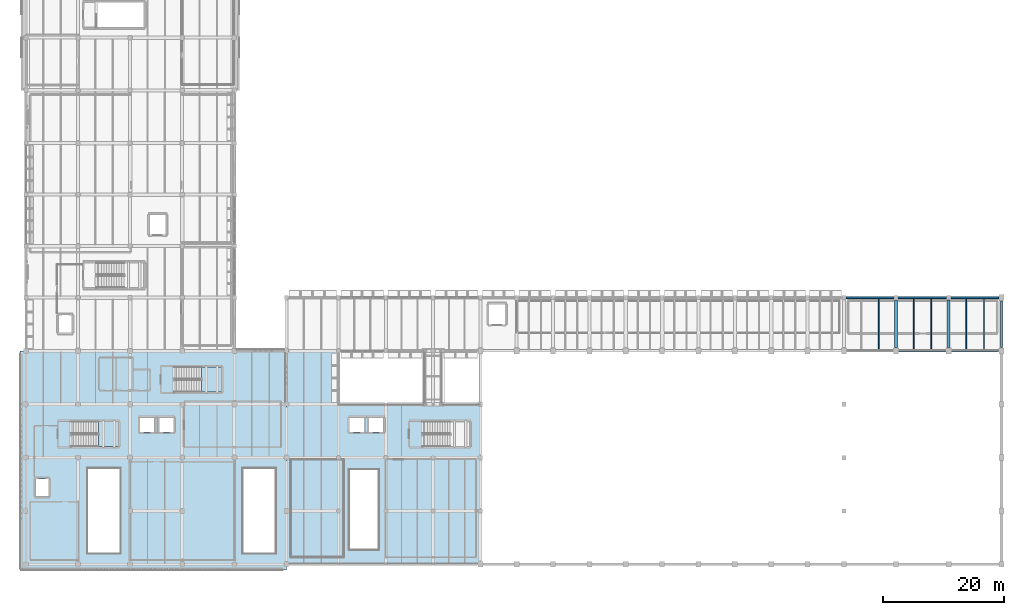
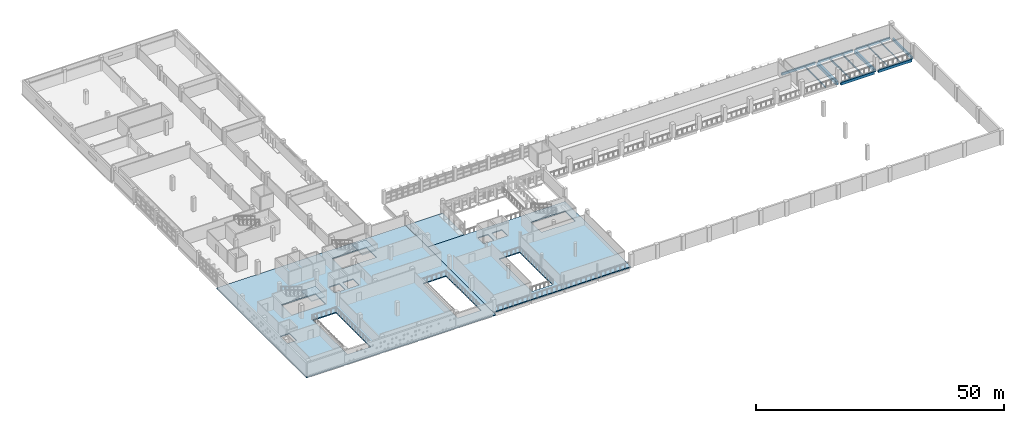
# One storey, part 45 of 75: 13 beams, 5 slabs, 2 elements without a shape of their own.
"""IFC4 building model written with IfcOpenShell, lengths in metres."""

import ifcopenshell
import ifcopenshell.guid

model = None  # the IFC model being written
_history = None  # IfcOwnerHistory: only IFC2X3 demands one
_inside = {}  # id of a spatial element -> (the spatial element, [elements in it])
_under = {}  # id of a project, library or spatial element -> (it, [spatial elements below it])
_declared = {}  # id of a project -> (the project, [libraries it declares])
_typed = {}  # id of a type object -> (the type object, [elements of that type])
_made_of = {}  # id of a material, layer set ... -> (it, [elements and type objects made of it])


def new_model(schema):
    """Start an empty IFC model of exactly this schema.

    Asked for "IFC4X3", IfcOpenShell would pick the latest addendum, in which some entities
    have other attributes; the version numbers below select the first issue.
    IFC2X3 requires an IfcOwnerHistory on every rooted entity: one is made here for all.
    """
    global model, _history
    if schema == "IFC4X3":
        model = ifcopenshell.file(schema_version=(4, 3, 0, 0))
    else:
        model = ifcopenshell.file(schema=schema)
    _inside.clear()
    _under.clear()
    _declared.clear()
    _typed.clear()
    _made_of.clear()
    _history = None
    if model.schema == "IFC2X3":
        org = make("IfcOrganization", Name="unknown")
        user = make(
            "IfcPersonAndOrganization",
            ThePerson=make("IfcPerson", FamilyName="unknown"),
            TheOrganization=org,
        )
        app = make(
            "IfcApplication",
            ApplicationDeveloper=org,
            Version="unknown",
            ApplicationFullName="unknown",
            ApplicationIdentifier="unknown",
        )
        _history = make(
            "IfcOwnerHistory",
            OwningUser=user,
            OwningApplication=app,
            ChangeAction="ADDED",
            CreationDate=0,
        )
    return model


def make(cls, **values):
    """One entity of the class cls with the attributes given. An attribute that is None is left unset."""
    return model.create_entity(
        cls, **{name: value for name, value in values.items() if value is not None}
    )


def rooted(cls, **values):
    """An entity with a GlobalId (a new one), such as an element, a storey or a relation."""
    return make(cls, GlobalId=ifcopenshell.guid.new(), OwnerHistory=_history, **values)


def si_unit(unit_type, name, prefix=None):
    """IfcSIUnit, for example si_unit("LENGTHUNIT", "METRE", prefix="MILLI")."""
    return make("IfcSIUnit", UnitType=unit_type, Prefix=prefix, Name=name)


def assignment(units):
    """IfcUnitAssignment: the units of a project."""
    return None if units is None else make("IfcUnitAssignment", Units=units)


def point(xyz):
    """IfcCartesianPoint."""
    return None if xyz is None else make("IfcCartesianPoint", Coordinates=xyz)


def direction(xyz):
    """IfcDirection."""
    return None if xyz is None else make("IfcDirection", DirectionRatios=xyz)


def frame(location, z_axis=None, x_axis=None):
    """IfcAxis2Placement3D, a coordinate frame: its origin and axes. An axis left out is left unset."""
    return make(
        "IfcAxis2Placement3D",
        Location=point(location),
        Axis=direction(z_axis),
        RefDirection=direction(x_axis),
    )


def frame_2d(location, x_axis=None):
    """IfcAxis2Placement2D, a coordinate frame in the plane: its origin and x axis."""
    return make(
        "IfcAxis2Placement2D", Location=point(location), RefDirection=direction(x_axis)
    )


def origin():
    """The frame at (0, 0, 0) with its axes left unset."""
    return frame((0.0, 0.0, 0.0))


def origin_2d():
    """The frame at (0, 0) in the plane with its x axis left unset."""
    return frame_2d((0.0, 0.0))


def place(relative_to, where):
    """IfcLocalPlacement: puts the frame where relative to a parent placement (None: the world)."""
    return make(
        "IfcLocalPlacement", PlacementRelTo=relative_to, RelativePlacement=where
    )


def context(
    kind, dimensions, precision=None, world=None, true_north=None, identifier=None
):
    """IfcGeometricRepresentationContext, for example the 3D "Model" context."""
    return make(
        "IfcGeometricRepresentationContext",
        ContextIdentifier=identifier,
        ContextType=kind,
        CoordinateSpaceDimension=dimensions,
        Precision=precision,
        WorldCoordinateSystem=world,
        TrueNorth=true_north,
    )


def subcontext(parent, identifier, kind, view, scale=None):
    """IfcGeometricRepresentationSubContext, for example "Body" below "Model"."""
    return make(
        "IfcGeometricRepresentationSubContext",
        ContextIdentifier=identifier,
        ContextType=kind,
        ParentContext=parent,
        TargetScale=scale,
        TargetView=view,
    )


def project(units=None, contexts=None):
    """IfcProject with its units and contexts."""
    return rooted(
        "IfcProject",
        Name="project",
        RepresentationContexts=contexts,
        UnitsInContext=assignment(units),
    )


def spatial(cls, under=None, at=None, **own):
    """A site, building, storey or space (cls), placed at a placement, below another one or the project."""
    s = rooted(cls, ObjectPlacement=at, **own)
    if under is not None:
        _under.setdefault(under.id(), (under, []))[1].append(s)
    return s


def polyline(points):
    """IfcPolyline through the points."""
    return make("IfcPolyline", Points=[point(p) for p in points])


def profile(cls, at=None, kind="AREA", **sizes):
    """A parametric profile (cls). Its sizes go by their IFC names, for example OverallWidth=200.0."""
    return make(cls, ProfileType=kind, Position=at, **sizes)


def rectangle(**sizes):
    """IfcRectangleProfileDef."""
    return profile("IfcRectangleProfileDef", **sizes)


def i_section(**sizes):
    """IfcIShapeProfileDef."""
    return profile("IfcIShapeProfileDef", **sizes)


def outline(outer, holes=None, kind="AREA"):
    """IfcArbitraryClosedProfileDef: a profile drawn as a closed curve; with holes, ...WithVoids."""
    if holes is None:
        return make("IfcArbitraryClosedProfileDef", ProfileType=kind, OuterCurve=outer)
    return make(
        "IfcArbitraryProfileDefWithVoids",
        ProfileType=kind,
        OuterCurve=outer,
        InnerCurves=holes,
    )


def extrude(swept, where, along, depth):
    """IfcExtrudedAreaSolid: the profile swept, set in the frame where, extruded along a direction by depth."""
    return make(
        "IfcExtrudedAreaSolid",
        SweptArea=swept,
        Position=where,
        ExtrudedDirection=direction(along),
        Depth=depth,
    )


def shape(context_of_items, identifier, shape_type, items):
    """IfcShapeRepresentation: the items that make up one representation, for example the "Body"."""
    return make(
        "IfcShapeRepresentation",
        ContextOfItems=context_of_items,
        RepresentationIdentifier=identifier,
        RepresentationType=shape_type,
        Items=items,
    )


def material(Name=None, Category=None):
    """IfcMaterial."""
    return make("IfcMaterial", Name=Name, Category=Category)


def layer(
    of_material, thickness, ventilated=None, Name=None, Category=None, Priority=None
):
    """IfcMaterialLayer: one layer of a wall or slab, of a material (None: an air gap)."""
    return make(
        "IfcMaterialLayer",
        Material=of_material,
        LayerThickness=thickness,
        IsVentilated=ventilated,
        Name=Name,
        Category=Category,
        Priority=Priority,
    )


def layer_set(layers, Name=None):
    """IfcMaterialLayerSet."""
    return make("IfcMaterialLayerSet", MaterialLayers=layers, LayerSetName=Name)


def material_profile(
    of_material, cross_section, Name=None, Category=None, Priority=None
):
    """IfcMaterialProfile: a cross section and its material."""
    return make(
        "IfcMaterialProfile",
        Name=Name,
        Material=of_material,
        Profile=cross_section,
        Priority=Priority,
        Category=Category,
    )


def profile_set(profiles, Name=None, composite=None):
    """IfcMaterialProfileSet."""
    return make(
        "IfcMaterialProfileSet",
        Name=Name,
        MaterialProfiles=profiles,
        CompositeProfile=composite,
    )


def made_of(thing, what):
    """Note that an element or type object is made of a material, layer set ...; save() writes the relation."""
    if what is not None:
        _made_of.setdefault(what.id(), (what, []))[1].append(thing)
    return thing


def type_object(cls, material=None, **own):
    """A type object (cls), such as IfcWallType, which elements share."""
    return made_of(rooted(cls, **own), material)


def element(
    cls,
    number,
    at=None,
    inside=None,
    cuts=None,
    type_object=None,
    material=None,
    context=None,
    identifier="Body",
    shape_type=None,
    held_by="IfcProductDefinitionShape",
    body=None,
    shapes=None,
    **own,
):
    """One element of the class cls, such as IfcWall. Its Tag is "e" and its number.

    at: its placement. inside: the storey or other place that contains it. cuts: it is an
    opening in that element (IfcRelVoidsElement). A single representation is given by context,
    identifier, shape_type and body (its items); several are given by shapes. held_by: the class
    of the entity that holds the representations. save() writes the other relations.
    """
    e = rooted(cls, Tag="e%d" % number, ObjectPlacement=at, **own)
    if body is not None:
        shapes = [shape(context, identifier, shape_type, body)]
    if shapes is not None:
        e.Representation = make(held_by, Representations=shapes)
    if inside is not None:
        _inside.setdefault(inside.id(), (inside, []))[1].append(e)
    if cuts is not None:
        rooted(
            "IfcRelVoidsElement", RelatingBuildingElement=cuts, RelatedOpeningElement=e
        )
    if type_object is not None:
        _typed.setdefault(type_object.id(), (type_object, []))[1].append(e)
    return made_of(e, material)


def aggregate(whole, parts):
    """IfcRelAggregates: a whole, such as a stair, and the parts it consists of."""
    return rooted("IfcRelAggregates", RelatingObject=whole, RelatedObjects=parts)


def save(model, path):
    """Write the relations noted so far, then the file.

    IfcRelAggregates (storeys below a building ...), IfcRelContainedInSpatialStructure (elements
    in a storey), IfcRelDefinesByType, IfcRelAssociatesMaterial and IfcRelDeclares: one each for
    every whole, place, type object, material and project.
    """
    for whole, parts in _under.values():
        aggregate(whole, parts)
    for where, things in _inside.values():
        rooted(
            "IfcRelContainedInSpatialStructure",
            RelatedElements=things,
            RelatingStructure=where,
        )
    for kind, things in _typed.values():
        rooted("IfcRelDefinesByType", RelatedObjects=things, RelatingType=kind)
    for what, things in _made_of.values():
        rooted("IfcRelAssociatesMaterial", RelatedObjects=things, RelatingMaterial=what)
    for by, libraries in _declared.values():
        rooted("IfcRelDeclares", RelatingContext=by, RelatedDefinitions=libraries)
    model.write(path)


model = new_model("IFC4")

# Units and contexts
model_context = context("Model", 3, precision=1e-05, world=origin(), true_north=direction((0.0, 1.0)))
body_context = subcontext(model_context, "Body", "Model", "MODEL_VIEW")
ifc_project = project(units=[si_unit("LENGTHUNIT", "METRE"), si_unit("AREAUNIT", "SQUARE_METRE"), si_unit("VOLUMEUNIT", "CUBIC_METRE"), si_unit("PLANEANGLEUNIT", "RADIAN"), si_unit("MASSUNIT", "GRAM", prefix="KILO")], contexts=[model_context])

# Site, building, storey
site_placement = place(None, origin())
site = spatial("IfcSite", under=ifc_project, at=site_placement, CompositionType="ELEMENT")
building_placement = place(site_placement, origin())
building = spatial("IfcBuilding", under=site, at=building_placement, Name="Varnakota Cinema and Media Centre", CompositionType="ELEMENT")
storey_placement = place(building_placement, frame((0.0, 0.0, 8.39990234375)))
storey = spatial("IfcBuildingStorey", under=building, at=storey_placement, Name="L02", CompositionType="ELEMENT", Elevation=8.39990234375)

# Beams
ifc_material_1 = material(Name="Concrete M35", Category="concrete")
ifc_material_profile_1 = material_profile(ifc_material_1, rectangle(XDim=0.5, YDim=0.75, at=origin_2d()), Name="RCB 500x750")
ifc_profile_set_1 = profile_set([ifc_material_profile_1], Name="Concrete M35")
beam_type_1 = type_object("IfcBeamType", Name="BM-RC-500x750", PredefinedType="BEAM", material=ifc_profile_set_1)
beam_1_placement = place(storey_placement, frame((152.300048828125, 35.75, -0.625), z_axis=(0.0, 1.0, 0.0), x_axis=(-1.0, 0.0, 0.0)))
element("IfcBeam", 1, at=beam_1_placement, inside=storey, type_object=beam_type_1, Name="L02 girder X/5-6", PredefinedType="BEAM", context=body_context, shape_type="SweptSolid", body=[
    extrude(rectangle(XDim=0.5, YDim=0.75, at=origin_2d()), origin(), (0.0, 0.0, 1.0), 7.875),
])
ifc_material_2 = material(Name="Concrete M35", Category="concrete")
ifc_material_profile_2 = material_profile(ifc_material_2, rectangle(XDim=0.550048828125, YDim=0.800048828125, at=origin_2d()), Name="RCB 550x800")
ifc_profile_set_2 = profile_set([ifc_material_profile_2], Name="Concrete M35")
beam_type_2 = type_object("IfcBeamType", Name="BM-RC-550x800", PredefinedType="BEAM", material=ifc_profile_set_2)
beam_2_placement = place(storey_placement, frame((143.60009765625, 35.75, -0.64990234375), z_axis=(0.0, 1.0, 0.0), x_axis=(-1.0, 0.0, 0.0)))
element("IfcBeam", 2, at=beam_2_placement, inside=storey, type_object=beam_type_2, Name="L02 girder W/5-6", PredefinedType="BEAM", context=body_context, shape_type="SweptSolid", body=[
    extrude(rectangle(XDim=0.550048828125, YDim=0.800048828125, at=origin_2d()), origin(), (0.0, 0.0, 1.0), 7.85009765625),
])
ifc_material_3 = material(Name="Concrete M35", Category="concrete")
ifc_material_profile_3 = material_profile(ifc_material_3, rectangle(XDim=0.300048828125, YDim=0.60009765625, at=origin_2d()), Name="RCB 300x600")
ifc_profile_set_3 = profile_set([ifc_material_profile_3], Name="Concrete M35")
beam_type_3 = type_object("IfcBeamType", Name="BM-SP-300x600", PredefinedType="SPANDREL", material=ifc_profile_set_3)
beam_3_placement = place(storey_placement, frame((135.375, 44.0, -0.5498046875), z_axis=(1.0, 0.0, 0.0), x_axis=(0.0, 1.0, 0.0)))
element("IfcBeam", 3, at=beam_3_placement, inside=storey, type_object=beam_type_3, Name="L02 girder V-W/6", PredefinedType="SPANDREL", context=body_context, shape_type="SweptSolid", body=[
    extrude(rectangle(XDim=0.300048828125, YDim=0.60009765625, at=origin_2d()), origin(), (0.0, 0.0, 1.0), 7.875),
])
beam_4_placement = place(storey_placement, frame((143.949951171875, 44.0, -0.5498046875), z_axis=(1.0, 0.0, 0.0), x_axis=(0.0, 1.0, 0.0)))
element("IfcBeam", 4, at=beam_4_placement, inside=storey, type_object=beam_type_3, Name="L02 girder W-X/6", PredefinedType="SPANDREL", context=body_context, shape_type="SweptSolid", body=[
    extrude(rectangle(XDim=0.300048828125, YDim=0.60009765625, at=origin_2d()), origin(), (0.0, 0.0, 1.0), 7.97509765625),
])
beam_5_placement = place(storey_placement, frame((152.675048828125, 44.0, -0.5498046875), z_axis=(1.0, 0.0, 0.0), x_axis=(0.0, 1.0, 0.0)))
element("IfcBeam", 5, at=beam_5_placement, inside=storey, type_object=beam_type_3, Name="L02 girder X-Y/6", PredefinedType="SPANDREL", context=body_context, shape_type="SweptSolid", body=[
    extrude(rectangle(XDim=0.300048828125, YDim=0.60009765625, at=origin_2d()), origin(), (0.0, 0.0, 1.0), 7.875),
])
ifc_material_4 = material(Name="Concrete M40", Category="concrete")
ifc_material_profile_4 = material_profile(ifc_material_4, rectangle(XDim=0.35009765625, YDim=0.64990234375, at=origin_2d()), Name="RCB 350x650")
ifc_profile_set_4 = profile_set([ifc_material_profile_4], Name="Concrete M40")
beam_type_4 = type_object("IfcBeamType", Name="BM-SP-350x650", PredefinedType="SPANDREL", material=ifc_profile_set_4)
for number, where, z_axis, x_axis, name in (
    (6, (144.050048828125, 35.199951171875, -0.574951171875), (1.0, 0.0, 0.0), (0.0, 1.0, 0.0), "L02 girder W-X/5"),
    (7, (152.75, 35.199951171875, -0.574951171875), (1.0, 0.0, 0.0), (0.0, 1.0, 0.0), "L02 girder X-Y/5"),
):
    element("IfcBeam", number, at=place(storey_placement, frame(where, z_axis=z_axis, x_axis=x_axis)), inside=storey, type_object=beam_type_4, Name=name, PredefinedType="SPANDREL", context=body_context, shape_type="SweptSolid", body=[
        extrude(rectangle(XDim=0.35009765625, YDim=0.64990234375, at=origin_2d()), origin(), (0.0, 0.0, 1.0), 7.800048828125),
    ])
beam_6_placement = place(storey_placement, frame((161.0, 35.75, -0.574951171875), z_axis=(0.0, 1.0, 0.0), x_axis=(-1.0, 0.0, 0.0)))
element("IfcBeam", 8, at=beam_6_placement, inside=storey, type_object=beam_type_4, Name="L02 girder Y/5-6", PredefinedType="SPANDREL", context=body_context, shape_type="SweptSolid", body=[
    extrude(rectangle(XDim=0.35009765625, YDim=0.64990234375, at=origin_2d()), origin(), (0.0, 0.0, 1.0), 7.699951171875),
])
ifc_material_5 = material(Name="Structural steel Grade 350 (E350)", Category="steel")
ifc_material_profile_5 = material_profile(ifc_material_5, i_section(OverallWidth=0.10009765625, OverallDepth=0.199951171875, WebThickness=0.005615234375, FlangeThickness=0.0107421875, FilletRadius=0.010986328125, at=origin_2d()), Name="ISMB 200")
ifc_profile_set_5 = profile_set([ifc_material_profile_5], Name="Structural steel Grade 350 (E350)")
beam_type_5 = type_object("IfcBeamType", Name="BM-ST-ISMB200", PredefinedType="JOIST", material=ifc_profile_set_5)
for number, where, z_axis, x_axis, name in (
    (9, (155.199951171875, 35.375, -0.349853515625), (0.0, 1.0, 0.0), (-1.0, 0.0, 0.0), "L02 steel joist X-Y/5-6 #1"),
    (10, (158.10009765625, 35.375, -0.349853515625), (0.0, 1.0, 0.0), (-1.0, 0.0, 0.0), "L02 steel joist X-Y/5-6 #2"),
):
    element("IfcBeam", number, at=place(storey_placement, frame(where, z_axis=z_axis, x_axis=x_axis)), inside=storey, type_object=beam_type_5, Name=name, PredefinedType="JOIST", context=body_context, shape_type="SweptSolid", body=[
        extrude(i_section(OverallWidth=0.10009765625, OverallDepth=0.199951171875, WebThickness=0.005615234375, FlangeThickness=0.0107421875, FilletRadius=0.010986328125, at=origin_2d()), origin(), (0.0, 0.0, 1.0), 8.47509765625),
    ])
ifc_material_6 = material(Name="Structural steel Grade 350 (E350)", Category="steel")
ifc_material_profile_6 = material_profile(ifc_material_6, i_section(OverallWidth=0.139892578125, OverallDepth=0.39990234375, WebThickness=0.0087890625, FlangeThickness=0.01611328125, FilletRadius=0.013916015625, at=origin_2d()), Name="ISMB 400")
ifc_profile_set_6 = profile_set([ifc_material_profile_6], Name="Structural steel Grade 350 (E350)")
beam_type_6 = type_object("IfcBeamType", Name="BM-ST-ISMB400", PredefinedType="JOIST", material=ifc_profile_set_6)
beam_7_placement = place(storey_placement, frame((140.7333984375, 35.375, -0.449951171875), z_axis=(0.0, 1.0, 0.0), x_axis=(-1.0, 0.0, 0.0)))
element("IfcBeam", 11, at=beam_7_placement, inside=storey, type_object=beam_type_6, Name="L02 steel joist V-W/5-6 #2", PredefinedType="JOIST", context=body_context, shape_type="SweptSolid", body=[
    extrude(i_section(OverallWidth=0.139892578125, OverallDepth=0.39990234375, WebThickness=0.0087890625, FlangeThickness=0.01611328125, FilletRadius=0.013916015625, at=origin_2d()), origin(), (0.0, 0.0, 1.0), 8.47509765625),
])
ifc_material_7 = material(Name="Structural steel Grade 350 (E350)", Category="steel")
ifc_material_profile_7 = material_profile(ifc_material_7, i_section(OverallWidth=0.14990234375, OverallDepth=0.449951171875, WebThickness=0.009521484375, FlangeThickness=0.017333984375, FilletRadius=0.014892578125, at=origin_2d()), Name="ISMB 450")
ifc_profile_set_7 = profile_set([ifc_material_profile_7], Name="Structural steel Grade 350 (E350)")
beam_type_7 = type_object("IfcBeamType", Name="BM-ST-ISMB450", PredefinedType="BEAM", material=ifc_profile_set_7)
for number, where, z_axis, x_axis, name in (
    (12, (146.5, 35.375, -0.474853515625), (0.0, 1.0, 0.0), (-1.0, 0.0, 0.0), "L02 steel joist W-X/5-6 #1"),
    (13, (149.39990234375, 35.375, -0.474853515625), (0.0, 1.0, 0.0), (-1.0, 0.0, 0.0), "L02 steel joist W-X/5-6 #2"),
):
    element("IfcBeam", number, at=place(storey_placement, frame(where, z_axis=z_axis, x_axis=x_axis)), inside=storey, type_object=beam_type_7, Name=name, PredefinedType="BEAM", context=body_context, shape_type="SweptSolid", body=[
        extrude(i_section(OverallWidth=0.14990234375, OverallDepth=0.449951171875, WebThickness=0.009521484375, FlangeThickness=0.017333984375, FilletRadius=0.014892578125, at=origin_2d()), origin(), (0.0, 0.0, 1.0), 8.47509765625),
    ])

# Slabs
ifc_material_8 = material(Name="Concrete M35", Category="concrete")
ifc_layer_1 = layer(ifc_material_8, 0.25)
ifc_layer_set_1 = layer_set([ifc_layer_1], Name="Concrete M35")
slab_type_1 = type_object("IfcSlabType", Name="SLB-FLR-250", PredefinedType="FLOOR", material=ifc_layer_set_1)
slab_1_placement = place(storey_placement, frame((0.0, 0.0, -0.25)))
element("IfcSlab", 14, at=slab_1_placement, inside=storey, type_object=slab_type_1, Name="L02 V4 floor slab", PredefinedType="FLOOR", context=body_context, shape_type="SweptSolid", body=[
    extrude(outline(polyline([(-0.949951171875, -0.949951171875), (43.0, -0.949951171875), (43.0, 35.199951171875), (-0.949951171875, 35.199951171875), (-0.949951171875, -0.949951171875)]), holes=[polyline([(10.199951171875, 1.800048828125), (15.60009765625, 1.800048828125), (15.60009765625, 15.800048828125), (10.199951171875, 15.800048828125), (10.199951171875, 1.800048828125)]), polyline([(35.800048828125, 1.800048828125), (41.199951171875, 1.800048828125), (41.199951171875, 15.800048828125), (35.800048828125, 15.800048828125), (35.800048828125, 1.800048828125)]), polyline([(7.39990234375, 19.39990234375), (15.280029296875, 19.39990234375), (15.280029296875, 23.550048828125), (7.39990234375, 23.550048828125), (7.39990234375, 19.39990234375)]), polyline([(24.39990234375, 28.39990234375), (32.280029296875, 28.39990234375), (32.280029296875, 32.550048828125), (24.39990234375, 32.550048828125), (24.39990234375, 28.39990234375)]), polyline([(1.60009765625, 11.199951171875), (3.800048828125, 11.199951171875), (3.800048828125, 14.10009765625), (1.60009765625, 14.10009765625), (1.60009765625, 11.199951171875)]), polyline([(18.800048828125, 21.800048828125), (21.199951171875, 21.800048828125), (21.199951171875, 24.199951171875), (18.800048828125, 24.199951171875), (18.800048828125, 21.800048828125)]), polyline([(22.0, 21.800048828125), (24.39990234375, 21.800048828125), (24.39990234375, 24.199951171875), (22.0, 24.199951171875), (22.0, 21.800048828125)])]), origin(), (0.0, 0.0, 1.0), 0.25),
])
slab_2_placement = place(storey_placement, frame((0.0, 0.0, -0.25)))
element("IfcSlab", 15, at=slab_2_placement, inside=storey, type_object=slab_type_1, Name="L02 V6 floor slab", PredefinedType="FLOOR", context=body_context, shape_type="SweptSolid", body=[
    extrude(outline(polyline([(43.0, 0.0), (75.0, 0.0), (75.0, 26.39990234375), (43.0, 26.39990234375), (43.0, 0.0)]), holes=[polyline([(53.39990234375, 2.39990234375), (58.199951171875, 2.39990234375), (58.199951171875, 15.60009765625), (53.39990234375, 15.60009765625), (53.39990234375, 2.39990234375)]), polyline([(65.39990234375, 19.39990234375), (73.280029296875, 19.39990234375), (73.280029296875, 23.550048828125), (65.39990234375, 23.550048828125), (65.39990234375, 19.39990234375)]), polyline([(53.39990234375, 21.800048828125), (55.800048828125, 21.800048828125), (55.800048828125, 24.199951171875), (53.39990234375, 24.199951171875), (53.39990234375, 21.800048828125)]), polyline([(56.60009765625, 21.800048828125), (59.0, 21.800048828125), (59.0, 24.199951171875), (56.60009765625, 24.199951171875), (56.60009765625, 21.800048828125)])]), origin(), (0.0, 0.0, 1.0), 0.25),
])
slab_3_placement = place(storey_placement, frame((0.0, 0.0, -0.25)))
element("IfcSlab", 16, at=slab_3_placement, inside=storey, type_object=slab_type_1, Name="L02 CHOWK-WLINK floor slab", PredefinedType="FLOOR", context=body_context, shape_type="SweptSolid", body=[
    extrude(outline(polyline([(43.0, 26.39990234375), (51.60009765625, 26.39990234375), (51.60009765625, 35.199951171875), (43.0, 35.199951171875), (43.0, 26.39990234375)])), origin(), (0.0, 0.0, 1.0), 0.25),
])

# Stair, slab
ifc_material_9 = material(Name="Concrete M35", Category="concrete")
stair_type_1 = type_object("IfcStairType", Name="STR-CORE-ST-01-2000", PredefinedType="HALF_TURN_STAIR", material=ifc_material_9)
stair_1_placement = place(storey_placement, origin())
stair_1 = element("IfcStair", 17, at=stair_1_placement, inside=storey, type_object=stair_type_1, Name="L02 West Firefighting Stair 1", PredefinedType="HALF_TURN_STAIR")
ifc_material_10 = material(Name="Concrete M35", Category="concrete")
ifc_layer_2 = layer(ifc_material_10, 0.199951171875)
ifc_layer_set_2 = layer_set([ifc_layer_2], Name="Concrete M35")
slab_type_2 = type_object("IfcSlabType", Name="SLB-LAND-ST-01", PredefinedType="LANDING", material=ifc_layer_set_2)
slab_4_placement = place(storey_placement, frame((0.0, 0.0, 1.60009765625)))
slab_4 = element("IfcSlab", 18, at=slab_4_placement, type_object=slab_type_2, Name="ST-01 landing 1", PredefinedType="LANDING", context=body_context, shape_type="SweptSolid", body=[
    extrude(outline(polyline([(12.02001953125, 19.39990234375), (15.280029296875, 19.39990234375), (15.280029296875, 23.550048828125), (12.02001953125, 23.550048828125), (12.02001953125, 19.39990234375)])), origin(), (0.0, 0.0, 1.0), 0.199951171875),
])
aggregate(stair_1, [slab_4])

ifc_material_11 = material(Name="Concrete M35", Category="concrete")
stair_type_2 = type_object("IfcStairType", Name="STR-CORE-ST-02-2000", PredefinedType="HALF_TURN_STAIR", material=ifc_material_11)
stair_2_placement = place(storey_placement, origin())
stair_2 = element("IfcStair", 19, at=stair_2_placement, inside=storey, type_object=stair_type_2, Name="L02 Cinema North Escape Stair 2", PredefinedType="HALF_TURN_STAIR")
ifc_material_12 = material(Name="Concrete M35", Category="concrete")
ifc_layer_3 = layer(ifc_material_12, 0.199951171875)
ifc_layer_set_3 = layer_set([ifc_layer_3], Name="Concrete M35")
slab_type_3 = type_object("IfcSlabType", Name="SLB-LAND-ST-02", PredefinedType="LANDING", material=ifc_layer_set_3)
slab_5_placement = place(storey_placement, frame((0.0, 0.0, 1.60009765625)))
slab_5 = element("IfcSlab", 20, at=slab_5_placement, type_object=slab_type_3, Name="ST-02 landing 1", PredefinedType="LANDING", context=body_context, shape_type="SweptSolid", body=[
    extrude(outline(polyline([(29.02001953125, 28.39990234375), (32.280029296875, 28.39990234375), (32.280029296875, 32.550048828125), (29.02001953125, 32.550048828125), (29.02001953125, 28.39990234375)])), origin(), (0.0, 0.0, 1.0), 0.199951171875),
])
aggregate(stair_2, [slab_5])

save(model, "model.ifc")
